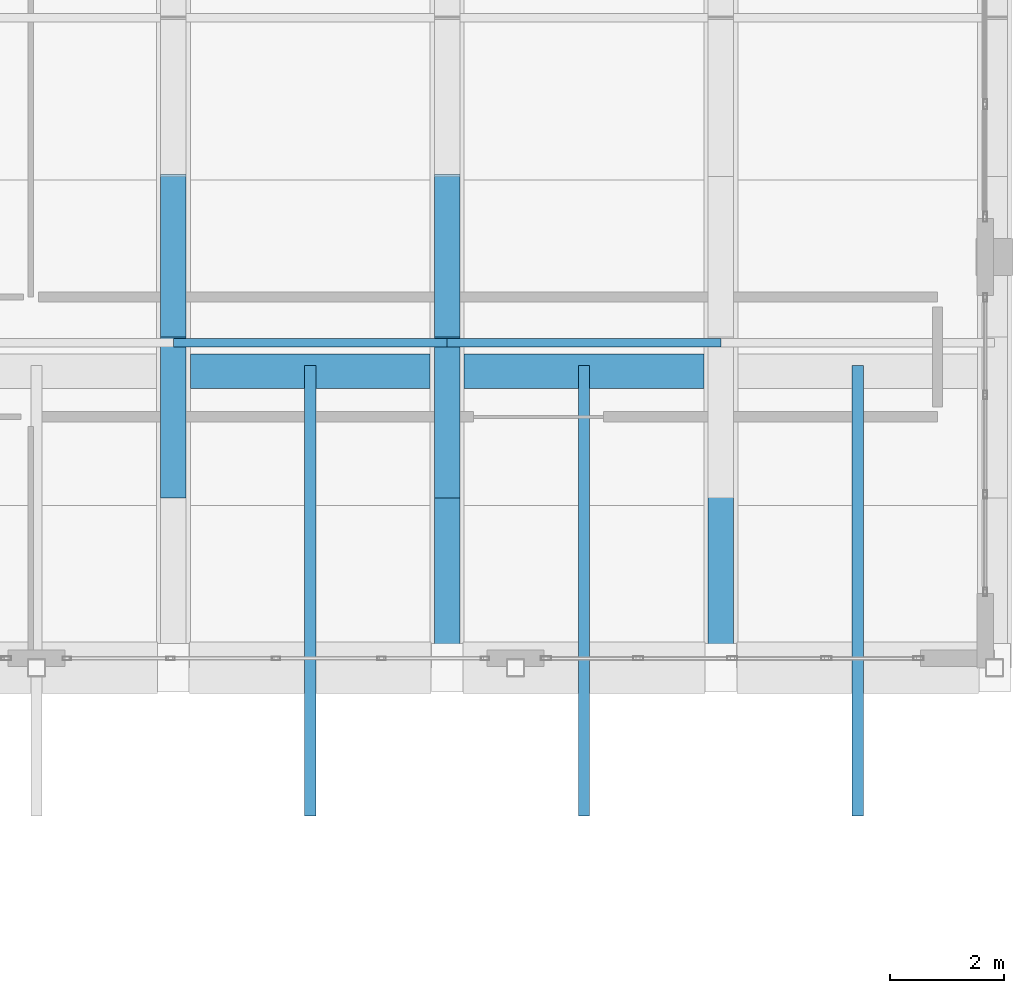
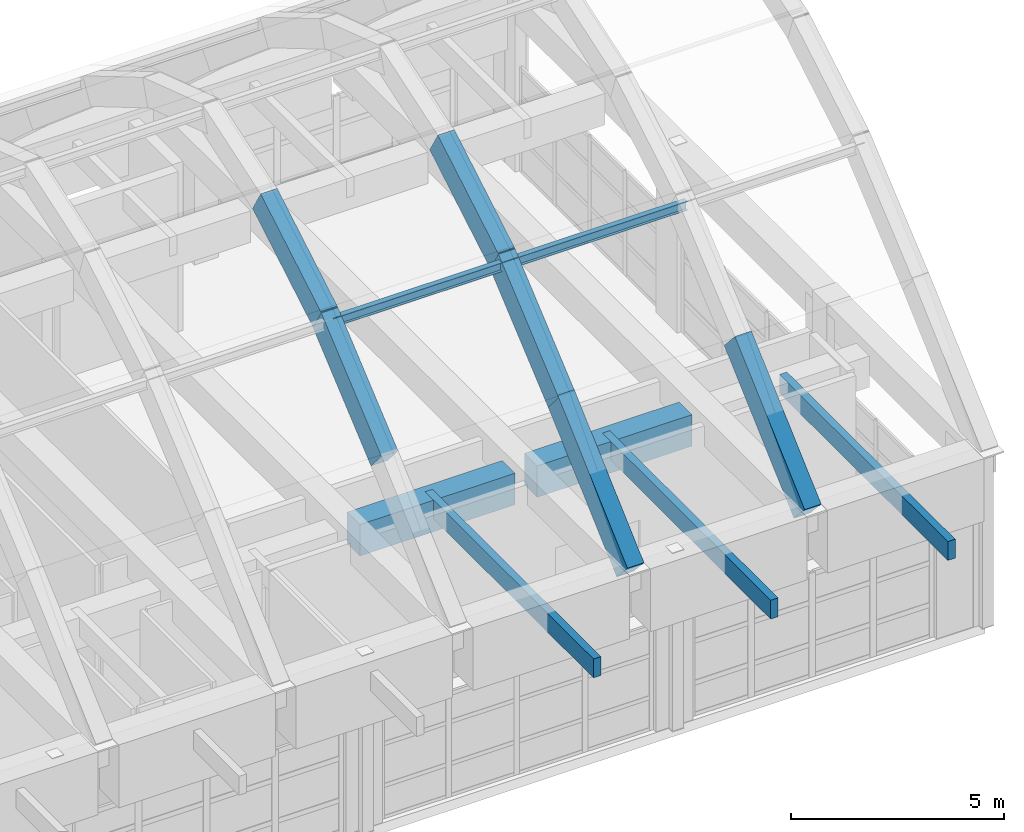
# One storey, part 43 of 78: 8 beams, 5 members.
"""IFC4 building model written with IfcOpenShell, lengths in metres."""

import ifcopenshell
import ifcopenshell.guid

model = None  # the IFC model being written
_history = None  # IfcOwnerHistory: only IFC2X3 demands one
_inside = {}  # id of a spatial element -> (the spatial element, [elements in it])
_under = {}  # id of a project, library or spatial element -> (it, [spatial elements below it])
_declared = {}  # id of a project -> (the project, [libraries it declares])
_typed = {}  # id of a type object -> (the type object, [elements of that type])
_made_of = {}  # id of a material, layer set ... -> (it, [elements and type objects made of it])


def new_model(schema):
    """Start an empty IFC model of exactly this schema.

    Asked for "IFC4X3", IfcOpenShell would pick the latest addendum, in which some entities
    have other attributes; the version numbers below select the first issue.
    IFC2X3 requires an IfcOwnerHistory on every rooted entity: one is made here for all.
    """
    global model, _history
    if schema == "IFC4X3":
        model = ifcopenshell.file(schema_version=(4, 3, 0, 0))
    else:
        model = ifcopenshell.file(schema=schema)
    _inside.clear()
    _under.clear()
    _declared.clear()
    _typed.clear()
    _made_of.clear()
    _history = None
    if model.schema == "IFC2X3":
        org = make("IfcOrganization", Name="unknown")
        user = make(
            "IfcPersonAndOrganization",
            ThePerson=make("IfcPerson", FamilyName="unknown"),
            TheOrganization=org,
        )
        app = make(
            "IfcApplication",
            ApplicationDeveloper=org,
            Version="unknown",
            ApplicationFullName="unknown",
            ApplicationIdentifier="unknown",
        )
        _history = make(
            "IfcOwnerHistory",
            OwningUser=user,
            OwningApplication=app,
            ChangeAction="ADDED",
            CreationDate=0,
        )
    return model


def make(cls, **values):
    """One entity of the class cls with the attributes given. An attribute that is None is left unset."""
    return model.create_entity(
        cls, **{name: value for name, value in values.items() if value is not None}
    )


def rooted(cls, **values):
    """An entity with a GlobalId (a new one), such as an element, a storey or a relation."""
    return make(cls, GlobalId=ifcopenshell.guid.new(), OwnerHistory=_history, **values)


def si_unit(unit_type, name, prefix=None):
    """IfcSIUnit, for example si_unit("LENGTHUNIT", "METRE", prefix="MILLI")."""
    return make("IfcSIUnit", UnitType=unit_type, Prefix=prefix, Name=name)


def assignment(units):
    """IfcUnitAssignment: the units of a project."""
    return None if units is None else make("IfcUnitAssignment", Units=units)


def point(xyz):
    """IfcCartesianPoint."""
    return None if xyz is None else make("IfcCartesianPoint", Coordinates=xyz)


def direction(xyz):
    """IfcDirection."""
    return None if xyz is None else make("IfcDirection", DirectionRatios=xyz)


def frame(location, z_axis=None, x_axis=None):
    """IfcAxis2Placement3D, a coordinate frame: its origin and axes. An axis left out is left unset."""
    return make(
        "IfcAxis2Placement3D",
        Location=point(location),
        Axis=direction(z_axis),
        RefDirection=direction(x_axis),
    )


def frame_2d(location, x_axis=None):
    """IfcAxis2Placement2D, a coordinate frame in the plane: its origin and x axis."""
    return make(
        "IfcAxis2Placement2D", Location=point(location), RefDirection=direction(x_axis)
    )


def origin():
    """The frame at (0, 0, 0) with its axes left unset."""
    return frame((0.0, 0.0, 0.0))


def origin_2d():
    """The frame at (0, 0) in the plane with its x axis left unset."""
    return frame_2d((0.0, 0.0))


def place(relative_to, where):
    """IfcLocalPlacement: puts the frame where relative to a parent placement (None: the world)."""
    return make(
        "IfcLocalPlacement", PlacementRelTo=relative_to, RelativePlacement=where
    )


def context(
    kind, dimensions, precision=None, world=None, true_north=None, identifier=None
):
    """IfcGeometricRepresentationContext, for example the 3D "Model" context."""
    return make(
        "IfcGeometricRepresentationContext",
        ContextIdentifier=identifier,
        ContextType=kind,
        CoordinateSpaceDimension=dimensions,
        Precision=precision,
        WorldCoordinateSystem=world,
        TrueNorth=true_north,
    )


def subcontext(parent, identifier, kind, view, scale=None):
    """IfcGeometricRepresentationSubContext, for example "Body" below "Model"."""
    return make(
        "IfcGeometricRepresentationSubContext",
        ContextIdentifier=identifier,
        ContextType=kind,
        ParentContext=parent,
        TargetScale=scale,
        TargetView=view,
    )


def project(units=None, contexts=None):
    """IfcProject with its units and contexts."""
    return rooted(
        "IfcProject",
        Name="project",
        RepresentationContexts=contexts,
        UnitsInContext=assignment(units),
    )


def spatial(cls, under=None, at=None, **own):
    """A site, building, storey or space (cls), placed at a placement, below another one or the project."""
    s = rooted(cls, ObjectPlacement=at, **own)
    if under is not None:
        _under.setdefault(under.id(), (under, []))[1].append(s)
    return s


def profile(cls, at=None, kind="AREA", **sizes):
    """A parametric profile (cls). Its sizes go by their IFC names, for example OverallWidth=200.0."""
    return make(cls, ProfileType=kind, Position=at, **sizes)


def rectangle(**sizes):
    """IfcRectangleProfileDef."""
    return profile("IfcRectangleProfileDef", **sizes)


def i_section(**sizes):
    """IfcIShapeProfileDef."""
    return profile("IfcIShapeProfileDef", **sizes)


def extrude(swept, where, along, depth):
    """IfcExtrudedAreaSolid: the profile swept, set in the frame where, extruded along a direction by depth."""
    return make(
        "IfcExtrudedAreaSolid",
        SweptArea=swept,
        Position=where,
        ExtrudedDirection=direction(along),
        Depth=depth,
    )


def shape(context_of_items, identifier, shape_type, items):
    """IfcShapeRepresentation: the items that make up one representation, for example the "Body"."""
    return make(
        "IfcShapeRepresentation",
        ContextOfItems=context_of_items,
        RepresentationIdentifier=identifier,
        RepresentationType=shape_type,
        Items=items,
    )


def material(Name=None, Category=None):
    """IfcMaterial."""
    return make("IfcMaterial", Name=Name, Category=Category)


def material_profile(
    of_material, cross_section, Name=None, Category=None, Priority=None
):
    """IfcMaterialProfile: a cross section and its material."""
    return make(
        "IfcMaterialProfile",
        Name=Name,
        Material=of_material,
        Profile=cross_section,
        Priority=Priority,
        Category=Category,
    )


def profile_set(profiles, Name=None, composite=None):
    """IfcMaterialProfileSet."""
    return make(
        "IfcMaterialProfileSet",
        Name=Name,
        MaterialProfiles=profiles,
        CompositeProfile=composite,
    )


def made_of(thing, what):
    """Note that an element or type object is made of a material, layer set ...; save() writes the relation."""
    if what is not None:
        _made_of.setdefault(what.id(), (what, []))[1].append(thing)
    return thing


def type_object(cls, material=None, **own):
    """A type object (cls), such as IfcWallType, which elements share."""
    return made_of(rooted(cls, **own), material)


def element(
    cls,
    number,
    at=None,
    inside=None,
    cuts=None,
    type_object=None,
    material=None,
    context=None,
    identifier="Body",
    shape_type=None,
    held_by="IfcProductDefinitionShape",
    body=None,
    shapes=None,
    **own,
):
    """One element of the class cls, such as IfcWall. Its Tag is "e" and its number.

    at: its placement. inside: the storey or other place that contains it. cuts: it is an
    opening in that element (IfcRelVoidsElement). A single representation is given by context,
    identifier, shape_type and body (its items); several are given by shapes. held_by: the class
    of the entity that holds the representations. save() writes the other relations.
    """
    e = rooted(cls, Tag="e%d" % number, ObjectPlacement=at, **own)
    if body is not None:
        shapes = [shape(context, identifier, shape_type, body)]
    if shapes is not None:
        e.Representation = make(held_by, Representations=shapes)
    if inside is not None:
        _inside.setdefault(inside.id(), (inside, []))[1].append(e)
    if cuts is not None:
        rooted(
            "IfcRelVoidsElement", RelatingBuildingElement=cuts, RelatedOpeningElement=e
        )
    if type_object is not None:
        _typed.setdefault(type_object.id(), (type_object, []))[1].append(e)
    return made_of(e, material)


def aggregate(whole, parts):
    """IfcRelAggregates: a whole, such as a stair, and the parts it consists of."""
    return rooted("IfcRelAggregates", RelatingObject=whole, RelatedObjects=parts)


def save(model, path):
    """Write the relations noted so far, then the file.

    IfcRelAggregates (storeys below a building ...), IfcRelContainedInSpatialStructure (elements
    in a storey), IfcRelDefinesByType, IfcRelAssociatesMaterial and IfcRelDeclares: one each for
    every whole, place, type object, material and project.
    """
    for whole, parts in _under.values():
        aggregate(whole, parts)
    for where, things in _inside.values():
        rooted(
            "IfcRelContainedInSpatialStructure",
            RelatedElements=things,
            RelatingStructure=where,
        )
    for kind, things in _typed.values():
        rooted("IfcRelDefinesByType", RelatedObjects=things, RelatingType=kind)
    for what, things in _made_of.values():
        rooted("IfcRelAssociatesMaterial", RelatedObjects=things, RelatingMaterial=what)
    for by, libraries in _declared.values():
        rooted("IfcRelDeclares", RelatingContext=by, RelatedDefinitions=libraries)
    model.write(path)


model = new_model("IFC4")

# Units and contexts
model_context = context("Model", 3, precision=1e-05, world=origin(), true_north=direction((0.0, 1.0)))
body_context = subcontext(model_context, "Body", "Model", "MODEL_VIEW")
ifc_project = project(units=[si_unit("LENGTHUNIT", "METRE"), si_unit("AREAUNIT", "SQUARE_METRE"), si_unit("VOLUMEUNIT", "CUBIC_METRE"), si_unit("PLANEANGLEUNIT", "RADIAN"), si_unit("MASSUNIT", "GRAM", prefix="KILO")], contexts=[model_context])

# Site, building, storey
site_placement = place(None, origin())
site = spatial("IfcSite", under=ifc_project, at=site_placement, CompositionType="ELEMENT")
building_placement = place(site_placement, origin())
building = spatial("IfcBuilding", under=site, at=building_placement, Name="Quendrovan Civic Courthouse", CompositionType="ELEMENT")
storey_placement = place(building_placement, frame((0.0, 0.0, 20.39990234375)))
storey = spatial("IfcBuildingStorey", under=building, at=storey_placement, Name="L05", CompositionType="ELEMENT", Elevation=20.39990234375)

# Beams
ifc_material_1 = material(Name="Concrete C40/50", Category="concrete")
ifc_material_profile_1 = material_profile(ifc_material_1, rectangle(XDim=0.60009765625, YDim=0.89990234375, at=origin_2d()), Name="RC-BM-600x900")
ifc_profile_set_1 = profile_set([ifc_material_profile_1], Name="Concrete C40/50")
beam_type_1 = type_object("IfcBeamType", Name="BM-RC900", PredefinedType="BEAM", material=ifc_profile_set_1)
for number, where, z_axis, x_axis, name in (
    (1, (128.699951171875, 92.800048828125, 4.35009765625), (1.0, 0.0, 0.0), (0.0, 1.0, 0.0), "BV1 Eave Backspan Collector Beam S-B5"),
    (2, (133.5, 92.800048828125, 4.35009765625), (1.0, 0.0, 0.0), (0.0, 1.0, 0.0), "BV1 Eave Backspan Collector Beam S-B6"),
):
    element("IfcBeam", number, at=place(storey_placement, frame(where, z_axis=z_axis, x_axis=x_axis)), inside=storey, type_object=beam_type_1, Name=name, PredefinedType="BEAM", context=body_context, shape_type="SweptSolid", body=[
        extrude(rectangle(XDim=0.60009765625, YDim=0.89990234375, at=origin_2d()), origin(), (0.0, 0.0, 1.0), 4.199951171875),
    ])
ifc_material_profile_2 = material_profile(ifc_material_1, rectangle(XDim=0.449951171875, YDim=0.75, at=origin_2d()), Name="RC-VRIB-450x750")
ifc_profile_set_2 = profile_set([ifc_material_profile_2], Name="Concrete C40/50")
beam_type_2 = type_object("IfcBeamType", Name="BM-VRIB750", PredefinedType="BEAM", material=ifc_profile_set_2)
beam_1_placement = place(storey_placement, frame((128.39990234375, 90.822021484375, 7.818603515625), z_axis=(0.0, 0.762387086329, 0.647121264214), x_axis=(-1.0, 0.0, 0.0)))
element("IfcBeam", 3, at=beam_1_placement, inside=storey, type_object=beam_type_2, Name="BV1 Concrete Vault Arch Rib A5-C2", PredefinedType="BEAM", context=body_context, shape_type="SweptSolid", body=[
    extrude(rectangle(XDim=0.449951171875, YDim=0.75, at=origin_2d()), origin(), (0.0, 0.0, 1.0), 3.73828125),
])
beam_2_placement = place(storey_placement, frame((128.39990234375, 93.592041015625, 10.180908203125), z_axis=(0.0, 0.861355141515, 0.508003267889), x_axis=(-1.0, 0.0, 0.0)))
element("IfcBeam", 4, at=beam_2_placement, inside=storey, type_object=beam_type_2, Name="BV1 Concrete Vault Arch Rib A5-C3", PredefinedType="BEAM", context=body_context, shape_type="SweptSolid", body=[
    extrude(rectangle(XDim=0.449951171875, YDim=0.75, at=origin_2d()), origin(), (0.0, 0.0, 1.0), 3.308837890625),
])
beam_3_placement = place(storey_placement, frame((133.199951171875, 87.60009765625, 4.900146484375), z_axis=(0.0, 0.740733725172, 0.671798740988), x_axis=(-1.0, 0.0, 0.0)))
element("IfcBeam", 5, at=beam_3_placement, inside=storey, type_object=beam_type_2, Name="BV1 Concrete Vault Arch Rib A6-C1", PredefinedType="BEAM", context=body_context, shape_type="SweptSolid", body=[
    extrude(rectangle(XDim=0.449951171875, YDim=0.75, at=origin_2d()), origin(), (0.0, 0.0, 1.0), 4.423583984375),
])
beam_4_placement = place(storey_placement, frame((133.199951171875, 90.822021484375, 7.818603515625), z_axis=(0.0, 0.762387086329, 0.647121264214), x_axis=(-1.0, 0.0, 0.0)))
element("IfcBeam", 6, at=beam_4_placement, inside=storey, type_object=beam_type_2, Name="BV1 Concrete Vault Arch Rib A6-C2", PredefinedType="BEAM", context=body_context, shape_type="SweptSolid", body=[
    extrude(rectangle(XDim=0.449951171875, YDim=0.75, at=origin_2d()), origin(), (0.0, 0.0, 1.0), 3.73828125),
])
beam_5_placement = place(storey_placement, frame((133.199951171875, 93.592041015625, 10.180908203125), z_axis=(0.0, 0.861355141515, 0.508003267889), x_axis=(-1.0, 0.0, 0.0)))
element("IfcBeam", 7, at=beam_5_placement, inside=storey, type_object=beam_type_2, Name="BV1 Concrete Vault Arch Rib A6-C3", PredefinedType="BEAM", context=body_context, shape_type="SweptSolid", body=[
    extrude(rectangle(XDim=0.449951171875, YDim=0.75, at=origin_2d()), origin(), (0.0, 0.0, 1.0), 3.308837890625),
])
beam_6_placement = place(storey_placement, frame((138.0, 87.60009765625, 4.900146484375), z_axis=(0.0, 0.740733725172, 0.671798740988), x_axis=(-1.0, 0.0, 0.0)))
element("IfcBeam", 8, at=beam_6_placement, inside=storey, type_object=beam_type_2, Name="BV1 Concrete Vault Arch Rib A7-C1", PredefinedType="BEAM", context=body_context, shape_type="SweptSolid", body=[
    extrude(rectangle(XDim=0.449951171875, YDim=0.75, at=origin_2d()), origin(), (0.0, 0.0, 1.0), 4.423583984375),
])

# Members
ifc_material_2 = material(Name="Western Red Cedar Glulam GL28h", Category="wood")
ifc_material_profile_3 = material_profile(ifc_material_2, rectangle(XDim=0.199951171875, YDim=0.5400390625, at=origin_2d()), Name="GL28H-200x540")
ifc_profile_set_3 = profile_set([ifc_material_profile_3], Name="Western Red Cedar Glulam GL28h")
member_type_1 = type_object("IfcMemberType", Name="MEM-PUR-GL540", PredefinedType="PURLIN", material=ifc_profile_set_3)
for number, where, z_axis, x_axis, name in (
    (9, (130.800048828125, 85.0, 4.530029296875), (0.0, 1.0, 0.0), (-1.0, 0.0, 0.0), "BV1 Cedar Glulam South Hurricane Eave Outrigger B5"),
    (10, (135.60009765625, 85.0, 4.530029296875), (0.0, 1.0, 0.0), (-1.0, 0.0, 0.0), "BV1 Cedar Glulam South Hurricane Eave Outrigger B6"),
    (11, (140.39990234375, 85.0, 4.530029296875), (0.0, 1.0, 0.0), (-1.0, 0.0, 0.0), "BV1 Cedar Glulam South Hurricane Eave Outrigger B7"),
):
    element("IfcMember", number, at=place(storey_placement, frame(where, z_axis=z_axis, x_axis=x_axis)), inside=storey, type_object=member_type_1, Name=name, PredefinedType="PURLIN", context=body_context, shape_type="SweptSolid", body=[
        extrude(rectangle(XDim=0.199951171875, YDim=0.5400390625, at=origin_2d()), origin(), (0.0, 0.0, 1.0), 7.89990234375),
    ])
ifc_material_3 = material(Name="Steel ASTM A992 Grade 50", Category="steel")
ifc_material_profile_4 = material_profile(ifc_material_3, i_section(OverallWidth=0.14599609375, OverallDepth=0.258056640625, WebThickness=0.006103515625, FlangeThickness=0.009033203125, at=origin_2d()), Name="W250x33")
ifc_profile_set_4 = profile_set([ifc_material_profile_4], Name="Steel ASTM A992 Grade 50")
member_type_2 = type_object("IfcMemberType", Name="MEM-PUR-W250", PredefinedType="PURLIN", material=ifc_profile_set_4)
for number, where, z_axis, x_axis, name in (
    (12, (128.39990234375, 93.300048828125, 10.236083984375), (1.0, 0.0, 0.0), (0.0, 1.0, 0.0), "BV1 Vault Longitudinal Purlin B5-1"),
    (13, (133.199951171875, 93.300048828125, 10.236083984375), (1.0, 0.0, 0.0), (0.0, 1.0, 0.0), "BV1 Vault Longitudinal Purlin B6-1"),
):
    element("IfcMember", number, at=place(storey_placement, frame(where, z_axis=z_axis, x_axis=x_axis)), inside=storey, type_object=member_type_2, Name=name, PredefinedType="PURLIN", context=body_context, shape_type="SweptSolid", body=[
        extrude(i_section(OverallWidth=0.14599609375, OverallDepth=0.258056640625, WebThickness=0.006103515625, FlangeThickness=0.009033203125, at=origin_2d()), origin(), (0.0, 0.0, 1.0), 4.800048828125),
    ])

save(model, "model.ifc")
